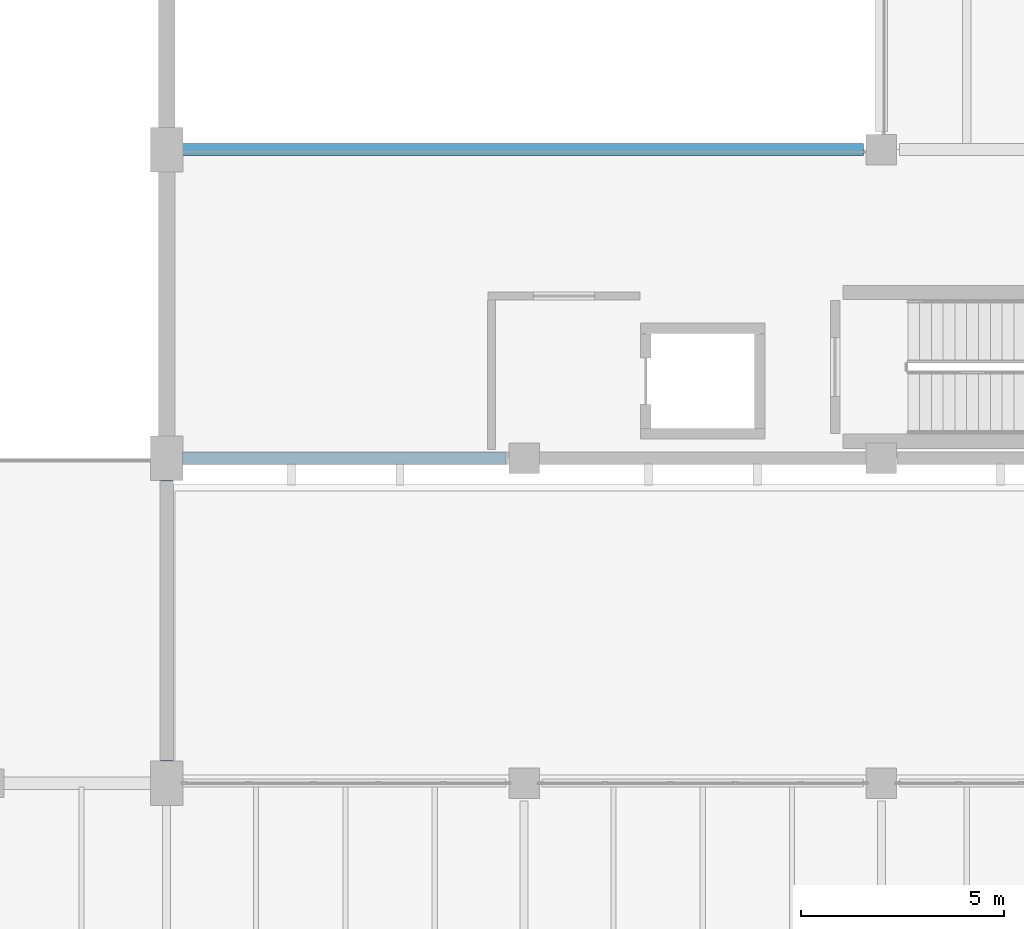
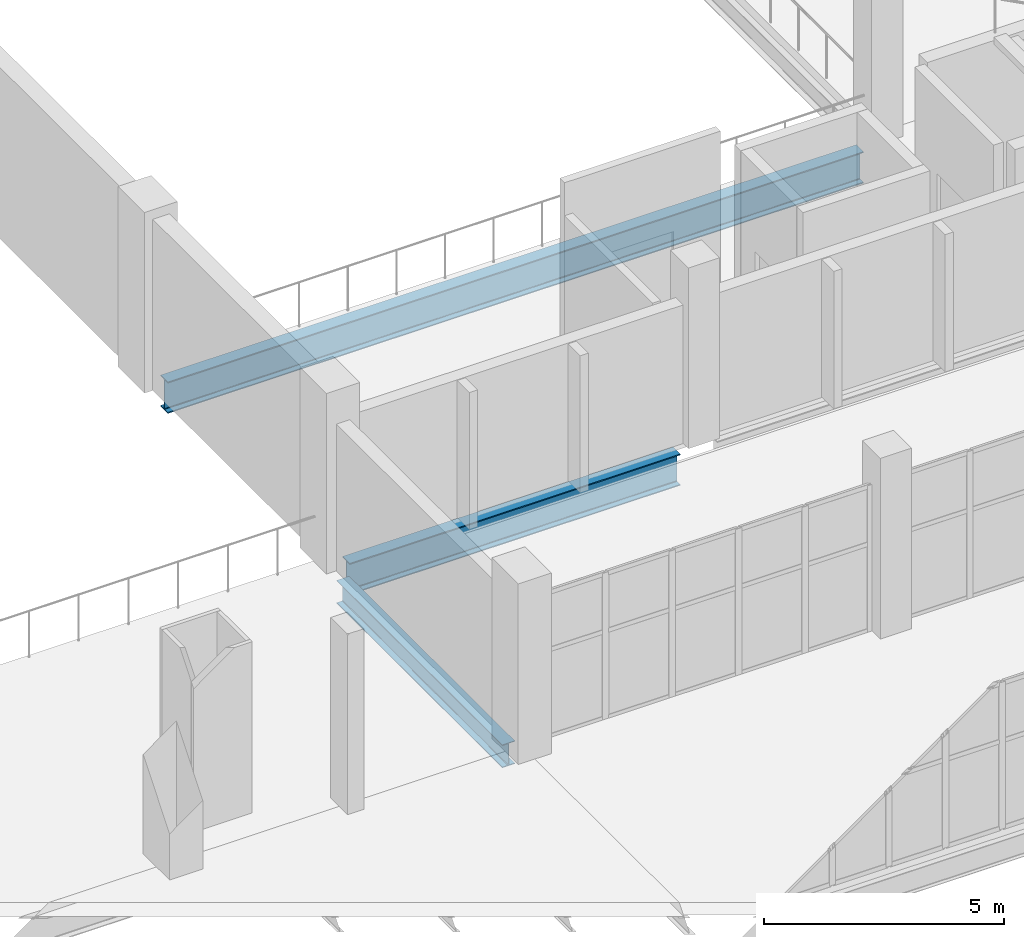
# One storey, part 57 of 136: 3 beams.
"""IFC4 building model written with IfcOpenShell, lengths in metres."""

from ifc_helpers import new_model, si_unit, direction, frame, origin, origin_2d, place, context, subcontext, project, spatial, i_section, extrude, material, material_profile, profile_set, type_object, element, save


model = new_model("IFC4")

# Units and contexts
model_context = context("Model", 3, precision=1e-05, world=origin(), true_north=direction((0.0, 1.0)))
body_context = subcontext(model_context, "Body", "Model", "MODEL_VIEW")
ifc_project = project(units=[si_unit("LENGTHUNIT", "METRE"), si_unit("AREAUNIT", "SQUARE_METRE"), si_unit("VOLUMEUNIT", "CUBIC_METRE"), si_unit("PLANEANGLEUNIT", "RADIAN"), si_unit("MASSUNIT", "GRAM", prefix="KILO")], contexts=[model_context])

# Site, building, storey
site_placement = place(None, origin())
site = spatial("IfcSite", under=ifc_project, at=site_placement, CompositionType="ELEMENT")
building_placement = place(site_placement, origin())
building = spatial("IfcBuilding", under=site, at=building_placement, Name="Shengluoqiao Park Theatre", CompositionType="ELEMENT")
storey_placement = place(building_placement, frame((0.0, 0.0, 10.0)))
storey = spatial("IfcBuildingStorey", under=building, at=storey_placement, Name="L02", CompositionType="ELEMENT", Elevation=10.0)

# Beams
ifc_material_1 = material(Name="Steel Q355", Category="steel")
ifc_material_profile_1 = material_profile(ifc_material_1, i_section(OverallWidth=0.300048828125, OverallDepth=0.587890625, WebThickness=0.011962890625, FlangeThickness=0.02001953125, FilletRadius=0.02392578125, at=origin_2d()), Name="HM 588x300x12x20")
ifc_profile_set_1 = profile_set([ifc_material_profile_1], Name="Steel Q355")
beam_type_1 = type_object("IfcBeamType", Name="STR-BM-G-HM588", PredefinedType="BEAM", material=ifc_profile_set_1)
beam_1_placement = place(storey_placement, frame((86.39990234375, 76.5439453125, -0.5439453125), z_axis=(0.0, 1.0, 0.0), x_axis=(-1.0, 0.0, 0.0)))
element("IfcBeam", 1, at=beam_1_placement, inside=storey, type_object=beam_type_1, Name="L02 Transverse Girder 00833", PredefinedType="BEAM", context=body_context, shape_type="SweptSolid", body=[
    extrude(i_section(OverallWidth=0.300048828125, OverallDepth=0.587890625, WebThickness=0.011962890625, FlangeThickness=0.02001953125, FilletRadius=0.02392578125, at=origin_2d()), origin(), (0.0, 0.0, 1.0), 6.912109375),
])
ifc_material_2 = material(Name="Steel Q390", Category="steel")
ifc_material_profile_2 = material_profile(ifc_material_2, i_section(OverallWidth=0.300048828125, OverallDepth=0.800048828125, WebThickness=0.013916015625, FlangeThickness=0.02587890625, FilletRadius=0.02587890625, at=origin_2d()), Name="HN 800x300x14x26")
ifc_profile_set_2 = profile_set([ifc_material_profile_2], Name="Steel Q390")
beam_type_2 = type_object("IfcBeamType", Name="STR-BM-G-HN800", PredefinedType="BEAM", material=ifc_profile_set_2)
beam_2_placement = place(storey_placement, frame((86.7939453125, 84.0, -0.64990234375), z_axis=(1.0, 0.0, 0.0), x_axis=(0.0, 1.0, 0.0)))
element("IfcBeam", 2, at=beam_2_placement, inside=storey, type_object=beam_type_2, Name="L02 Primary Girder 00838", PredefinedType="BEAM", context=body_context, shape_type="SweptSolid", body=[
    extrude(i_section(OverallWidth=0.300048828125, OverallDepth=0.800048828125, WebThickness=0.013916015625, FlangeThickness=0.02587890625, FilletRadius=0.02587890625, at=origin_2d()), origin(), (0.0, 0.0, 1.0), 7.962158203125),
])
beam_3_placement = place(storey_placement, frame((86.7939453125, 91.60009765625, -0.639892578125), z_axis=(1.0, 0.0, 0.0), x_axis=(0.0, 1.0, 0.0)))
element("IfcBeam", 3, at=beam_3_placement, inside=storey, type_object=beam_type_2, Name="L02 Primary Girder 00841", PredefinedType="BEAM", context=body_context, shape_type="SweptSolid", body=[
    extrude(i_section(OverallWidth=0.300048828125, OverallDepth=0.800048828125, WebThickness=0.013916015625, FlangeThickness=0.02587890625, FilletRadius=0.02587890625, at=origin_2d()), origin(), (0.0, 0.0, 1.0), 16.761962890625),
])

save(model, "model.ifc")
